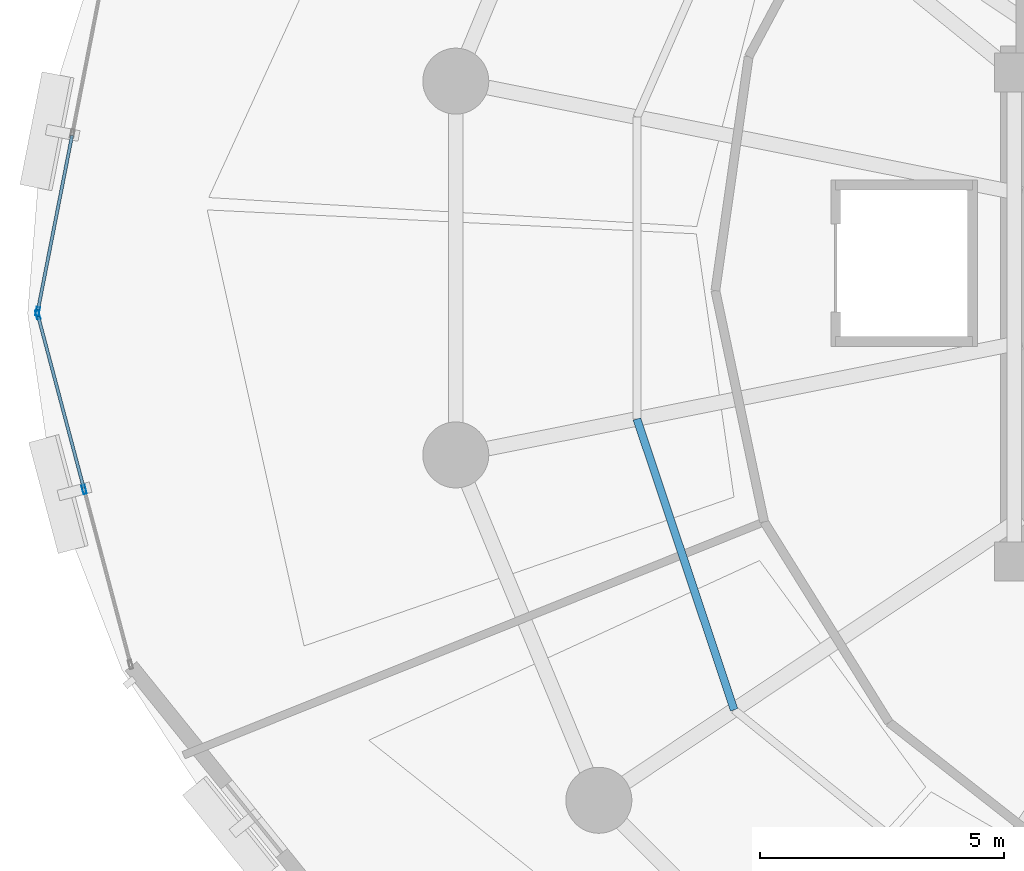
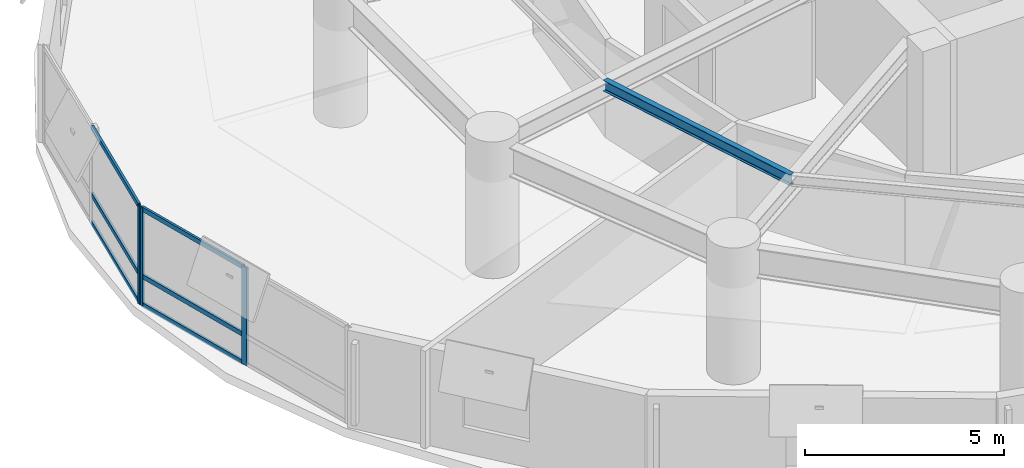
# One storey, part 4 of 15: 9 members, 1 beam, 2 elements without a shape of their own.
"""IFC4 building model written with IfcOpenShell, lengths in metres."""

from ifc_helpers import new_model, si_unit, direction, frame, origin, origin_2d, place, context, subcontext, project, spatial, hollow_rectangle, i_section, extrude, material, layer, layer_set, material_profile, profile_set, type_object, element, aggregate, save


model = new_model("IFC4")

# Units and contexts
model_context = context("Model", 3, precision=1e-05, world=origin(), true_north=direction((0.0, 1.0)))
body_context = subcontext(model_context, "Body", "Model", "MODEL_VIEW")
ifc_project = project(units=[si_unit("LENGTHUNIT", "METRE"), si_unit("AREAUNIT", "SQUARE_METRE"), si_unit("VOLUMEUNIT", "CUBIC_METRE"), si_unit("PLANEANGLEUNIT", "RADIAN"), si_unit("MASSUNIT", "GRAM", prefix="KILO"), si_unit("THERMODYNAMICTEMPERATUREUNIT", "KELVIN"), si_unit("POWERUNIT", "WATT")], contexts=[model_context])

# Site, building, storey
site_placement = place(None, origin())
site = spatial("IfcSite", under=ifc_project, at=site_placement, CompositionType="ELEMENT")
building_placement = place(site_placement, origin())
building = spatial("IfcBuilding", under=site, at=building_placement, Name="Ocrelia Relay Tower", CompositionType="ELEMENT")
storey_placement = place(building_placement, frame((0.0, 0.0, 38.39990234375)))
storey = spatial("IfcBuildingStorey", under=building, at=storey_placement, Name="L08", CompositionType="ELEMENT", Elevation=38.39990234375)

# Beam
ifc_material_1 = material(Name="Steel S355", Category="steel")
ifc_material_profile_1 = material_profile(ifc_material_1, i_section(OverallWidth=0.159912109375, OverallDepth=0.330078125, WebThickness=0.007568359375, FlangeThickness=0.011474609375, FilletRadius=0.01806640625, at=origin_2d()), Name="IPE 330")
ifc_profile_set_1 = profile_set([ifc_material_profile_1], Name="Steel S355")
beam_type = type_object("IfcBeamType", Name="BM-IPE330", PredefinedType="JOIST", material=ifc_profile_set_1)
beam_placement = place(storey_placement, frame((18.481689453125, 22.9130859375, 3.755126953125), z_axis=(0.317067865999, -0.948402851298, 0.0), x_axis=(0.948402851298, 0.317067865999, 0.0)))
element("IfcBeam", 1, at=beam_placement, inside=storey, type_object=beam_type, Name="L08 Secondary Floor Joist J09", PredefinedType="JOIST", context=body_context, shape_type="SweptSolid", body=[
    extrude(i_section(OverallWidth=0.159912109375, OverallDepth=0.330078125, WebThickness=0.007568359375, FlangeThickness=0.011474609375, FilletRadius=0.01806640625, at=origin_2d()), origin(), (0.0, 0.0, 1.0), 6.276123046875),
])

# Curtain wall, member
ifc_material_2 = material(Name="Aluminium and solar-control low-E glass", Category="aluminium")
ifc_layer = layer(ifc_material_2, 0.179931640625, Name="Aluminium and solar-control low-E glass")
ifc_layer_set = layer_set([ifc_layer], Name="Aluminium and solar-control low-E glass")
curtain_wall_type = type_object("IfcCurtainWallType", Name="CW-SYS-Z1-DATA", PredefinedType="NOTDEFINED", material=ifc_layer_set)
curtain_wall_1_placement = place(storey_placement, origin())
curtain_wall_1 = element("IfcCurtainWall", 2, at=curtain_wall_1_placement, inside=storey, type_object=curtain_wall_type, Name="L08 Elliptical Tower Curtain Wall Bay 09", PredefinedType="NOTDEFINED")
ifc_material_3 = material(Name="Anodised bronze aluminium", Category="aluminium")
ifc_material_profile_2 = material_profile(ifc_material_3, hollow_rectangle(XDim=0.070068359375, YDim=0.179931640625, WallThickness=0.006103515625, at=origin_2d()), Name="CW-MUL-180x70")
ifc_profile_set_2 = profile_set([ifc_material_profile_2], Name="Anodised bronze aluminium")
member_type_1 = type_object("IfcMemberType", Name="CW-SYS-Z1-DATA-MUL", PredefinedType="MULLION", material=ifc_profile_set_2)
member_1_placement = place(storey_placement, frame((6.221923828125, 25.112548828125, 0.0), z_axis=(0.0, 0.0, 1.0), x_axis=(0.981425958071, -0.19184131157, 0.0)))
member_1 = element("IfcMember", 3, at=member_1_placement, type_object=member_type_1, Name="CW-Z1 mullion 3", PredefinedType="MULLION", context=body_context, shape_type="SweptSolid", body=[
    extrude(hollow_rectangle(XDim=0.070068359375, YDim=0.179931640625, WallThickness=0.006103515625, at=origin_2d()), origin(), (0.0, 0.0, 1.0), 3.0),
])

# Curtain wall, members
curtain_wall_2_placement = place(storey_placement, origin())
curtain_wall_2 = element("IfcCurtainWall", 4, at=curtain_wall_2_placement, inside=storey, type_object=curtain_wall_type, Name="L08 Elliptical Tower Curtain Wall Bay 10", PredefinedType="NOTDEFINED")
member_2_placement = place(storey_placement, frame((6.224365234375, 25.04443359375, 0.0), z_axis=(0.0, 0.0, 1.0), x_axis=(0.966557227104, 0.256451022093, 0.0)))
member_2 = element("IfcMember", 5, at=member_2_placement, type_object=member_type_1, Name="CW-Z1 mullion 1", PredefinedType="MULLION", context=body_context, shape_type="SweptSolid", body=[
    extrude(hollow_rectangle(XDim=0.070068359375, YDim=0.179931640625, WallThickness=0.006103515625, at=origin_2d()), origin(), (0.0, 0.0, 1.0), 3.0),
])
member_3_placement = place(storey_placement, frame((7.173828125, 21.465576171875, 0.0), z_axis=(0.0, 0.0, 1.0), x_axis=(0.966557227104, 0.256451022093, 0.0)))
member_3 = element("IfcMember", 6, at=member_3_placement, type_object=member_type_1, Name="CW-Z1 mullion 2", PredefinedType="MULLION", context=body_context, shape_type="SweptSolid", body=[
    extrude(hollow_rectangle(XDim=0.070068359375, YDim=0.179931640625, WallThickness=0.006103515625, at=origin_2d()), origin(), (0.0, 0.0, 1.0), 3.0),
])

# Member
ifc_material_profile_3 = material_profile(ifc_material_3, hollow_rectangle(XDim=0.06494140625, YDim=0.139892578125, WallThickness=0.0048828125, at=origin_2d()), Name="CW-TRN-140x65")
ifc_profile_set_3 = profile_set([ifc_material_profile_3], Name="Anodised bronze aluminium")
member_type_2 = type_object("IfcMemberType", Name="CW-SYS-Z1-DATA-TRN", PredefinedType="USERDEFINED", material=ifc_profile_set_3)
member_4_placement = place(storey_placement, frame((6.925537109375, 28.712158203125, 0.03271484375), z_axis=(-0.191810377346, -0.98143200434, 0.0), x_axis=(0.98143200434, -0.191810377346, 0.0)))
member_4 = element("IfcMember", 7, at=member_4_placement, type_object=member_type_2, Name="CW-Z1 transom 2.1", ObjectType="TRANSOM", PredefinedType="USERDEFINED", context=body_context, shape_type="SweptSolid", body=[
    extrude(hollow_rectangle(XDim=0.06494140625, YDim=0.139892578125, WallThickness=0.0048828125, at=origin_2d()), origin(), (0.0, 0.0, 1.0), 3.632568359375),
])

member_5_placement = place(storey_placement, frame((6.925537109375, 28.712158203125, 0.900146484375), z_axis=(-0.191810377346, -0.98143200434, 0.0), x_axis=(0.98143200434, -0.191810377346, 0.0)))
member_5 = element("IfcMember", 8, at=member_5_placement, type_object=member_type_2, Name="CW-Z1 transom 2.2", ObjectType="TRANSOM", PredefinedType="USERDEFINED", context=body_context, shape_type="SweptSolid", body=[
    extrude(hollow_rectangle(XDim=0.06494140625, YDim=0.139892578125, WallThickness=0.0048828125, at=origin_2d()), origin(), (0.0, 0.0, 1.0), 3.632568359375),
])

member_6_placement = place(storey_placement, frame((6.925537109375, 28.712158203125, 2.967529296875), z_axis=(-0.191810377346, -0.98143200434, 0.0), x_axis=(0.98143200434, -0.191810377346, 0.0)))
member_6 = element("IfcMember", 9, at=member_6_placement, type_object=member_type_2, Name="CW-Z1 transom 2.3", ObjectType="TRANSOM", PredefinedType="USERDEFINED", context=body_context, shape_type="SweptSolid", body=[
    extrude(hollow_rectangle(XDim=0.06494140625, YDim=0.139892578125, WallThickness=0.0048828125, at=origin_2d()), origin(), (0.0, 0.0, 1.0), 3.632568359375),
])

aggregate(curtain_wall_1, [member_1, member_4, member_5, member_6])

member_7_placement = place(storey_placement, frame((6.233154296875, 25.0107421875, 0.03271484375), z_axis=(0.256441105392, -0.966559858191, 0.0), x_axis=(0.966559858191, 0.256441105392, 0.0)))
member_7 = element("IfcMember", 10, at=member_7_placement, type_object=member_type_2, Name="CW-Z1 transom 1.1", ObjectType="TRANSOM", PredefinedType="USERDEFINED", context=body_context, shape_type="SweptSolid", body=[
    extrude(hollow_rectangle(XDim=0.06494140625, YDim=0.139892578125, WallThickness=0.0048828125, at=origin_2d()), origin(), (0.0, 0.0, 1.0), 3.633056640625),
])

member_8_placement = place(storey_placement, frame((6.233154296875, 25.0107421875, 0.900146484375), z_axis=(0.256441105392, -0.966559858191, 0.0), x_axis=(0.966559858191, 0.256441105392, 0.0)))
member_8 = element("IfcMember", 11, at=member_8_placement, type_object=member_type_2, Name="CW-Z1 transom 1.2", ObjectType="TRANSOM", PredefinedType="USERDEFINED", context=body_context, shape_type="SweptSolid", body=[
    extrude(hollow_rectangle(XDim=0.06494140625, YDim=0.139892578125, WallThickness=0.0048828125, at=origin_2d()), origin(), (0.0, 0.0, 1.0), 3.633056640625),
])

member_9_placement = place(storey_placement, frame((6.233154296875, 25.0107421875, 2.967529296875), z_axis=(0.256441105392, -0.966559858191, 0.0), x_axis=(0.966559858191, 0.256441105392, 0.0)))
member_9 = element("IfcMember", 12, at=member_9_placement, type_object=member_type_2, Name="CW-Z1 transom 1.3", ObjectType="TRANSOM", PredefinedType="USERDEFINED", context=body_context, shape_type="SweptSolid", body=[
    extrude(hollow_rectangle(XDim=0.06494140625, YDim=0.139892578125, WallThickness=0.0048828125, at=origin_2d()), origin(), (0.0, 0.0, 1.0), 3.633056640625),
])

aggregate(curtain_wall_2, [member_2, member_3, member_7, member_8, member_9])

save(model, "model.ifc")
